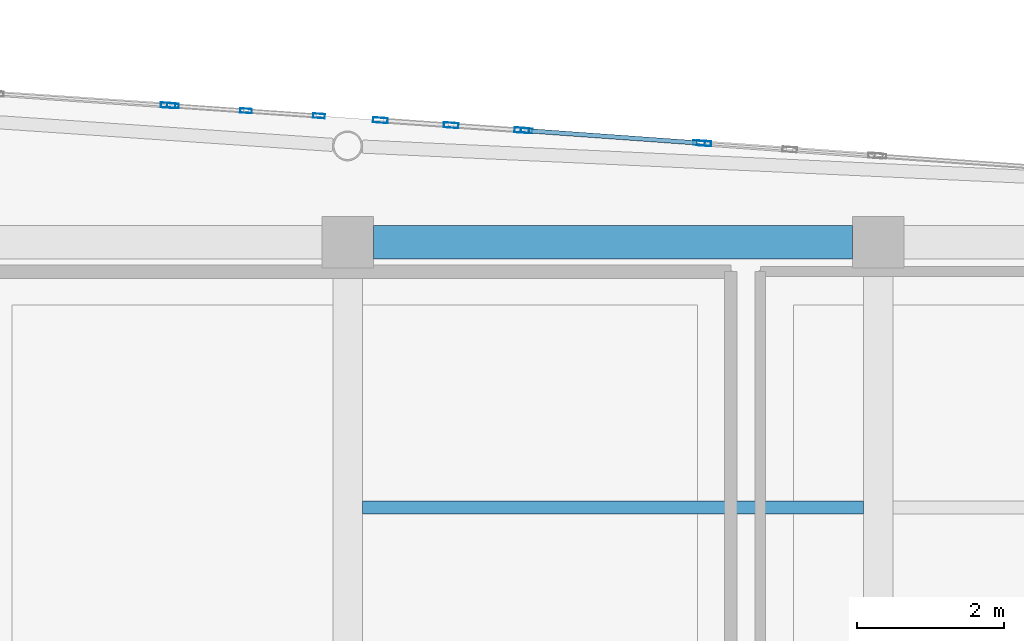
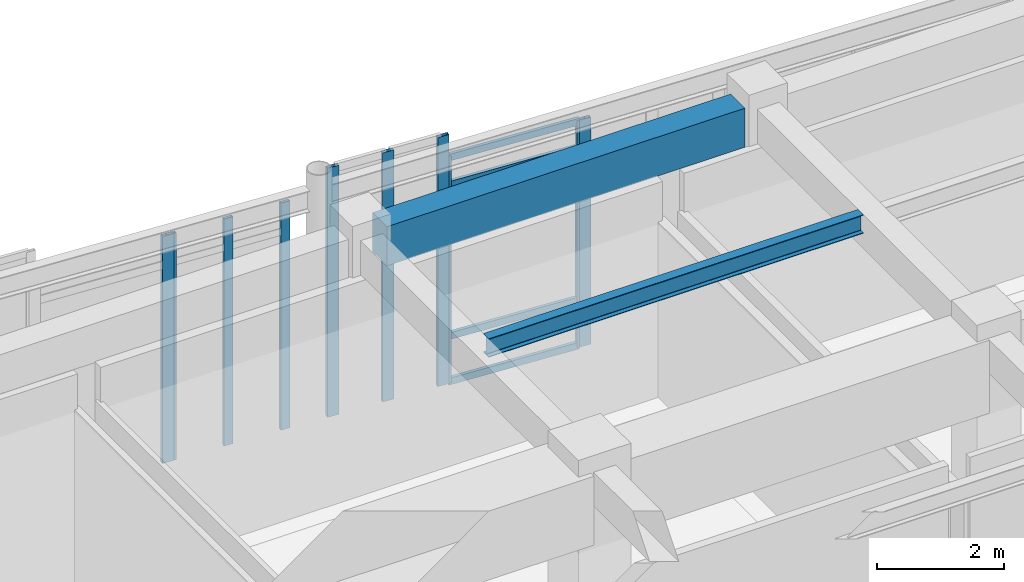
# One storey, part 57 of 117: 14 members, 2 beams, 5 elements without a shape of their own.
"""IFC4 building model written with IfcOpenShell, lengths in metres."""

from ifc_helpers import new_model, si_unit, direction, frame, origin, origin_2d, place, context, subcontext, project, spatial, rectangle, hollow_rectangle, i_section, extrude, material, layer, layer_set, material_profile, profile_set, type_object, element, aggregate, save


model = new_model("IFC4")

# Units and contexts
model_context = context("Model", 3, precision=1e-05, world=origin(), true_north=direction((0.0, 1.0)))
body_context = subcontext(model_context, "Body", "Model", "MODEL_VIEW")
ifc_project = project(units=[si_unit("LENGTHUNIT", "METRE"), si_unit("AREAUNIT", "SQUARE_METRE"), si_unit("VOLUMEUNIT", "CUBIC_METRE"), si_unit("PLANEANGLEUNIT", "RADIAN"), si_unit("MASSUNIT", "GRAM", prefix="KILO")], contexts=[model_context])

# Site, building, storey
site_placement = place(None, origin())
site = spatial("IfcSite", under=ifc_project, at=site_placement, CompositionType="ELEMENT")
building_placement = place(site_placement, origin())
building = spatial("IfcBuilding", under=site, at=building_placement, Name="Carrowvane Square Congress Hotel", CompositionType="ELEMENT")
storey_placement = place(building_placement, frame((0.0, 0.0, 5.39990234375)))
storey = spatial("IfcBuildingStorey", under=building, at=storey_placement, Name="L01", CompositionType="ELEMENT", Elevation=5.39990234375)

# Beams
ifc_material_1 = material(Name="Concrete C35/45", Category="concrete")
ifc_material_profile_1 = material_profile(ifc_material_1, rectangle(XDim=0.449951171875, YDim=0.75, at=origin_2d()), Name="RC 450x750")
ifc_profile_set_1 = profile_set([ifc_material_profile_1], Name="Concrete C35/45")
beam_type_1 = type_object("IfcBeamType", Name="BM-RC-450x750", PredefinedType="USERDEFINED", material=ifc_profile_set_1)
beam_1_placement = place(storey_placement, frame((134.35009765625, 113.39990234375, 4.405029296875), z_axis=(1.0, 0.0, 0.0), x_axis=(0.0, 1.0, 0.0)))
element("IfcBeam", 1, at=beam_1_placement, inside=storey, type_object=beam_type_1, Name="L02 girder R/18-19", ObjectType="GIRDER", PredefinedType="USERDEFINED", context=body_context, shape_type="SweptSolid", body=[
    extrude(rectangle(XDim=0.449951171875, YDim=0.75, at=origin_2d()), origin(), (0.0, 0.0, 1.0), 6.5),
])
ifc_material_2 = material(Name="Steel S355", Category="steel")
ifc_material_profile_2 = material_profile(ifc_material_2, i_section(OverallWidth=0.172119140625, OverallDepth=0.35791015625, WebThickness=0.008056640625, FlangeThickness=0.012939453125, FilletRadius=0.01025390625, at=origin_2d()), Name="UKB 356x171x57")
ifc_profile_set_2 = profile_set([ifc_material_profile_2], Name="Steel S355")
beam_type_2 = type_object("IfcBeamType", Name="BM-ST-UKB356", PredefinedType="JOIST", material=ifc_profile_set_2)
beam_2_placement = place(storey_placement, frame((134.199951171875, 109.800048828125, 4.60107421875), z_axis=(1.0, 0.0, 0.0), x_axis=(0.0, 1.0, 0.0)))
element("IfcBeam", 2, at=beam_2_placement, inside=storey, type_object=beam_type_2, Name="L02 secondary joist 18-19", PredefinedType="JOIST", context=body_context, shape_type="SweptSolid", body=[
    extrude(i_section(OverallWidth=0.172119140625, OverallDepth=0.35791015625, WebThickness=0.008056640625, FlangeThickness=0.012939453125, FilletRadius=0.01025390625, at=origin_2d()), origin(), (0.0, 0.0, 1.0), 6.800048828125),
])

# Curtain wall, members
ifc_material_3 = material(Name="Anodised aluminium", Category="aluminium")
ifc_layer_1 = layer(ifc_material_3, 0.23388671875)
ifc_layer_set_1 = layer_set([ifc_layer_1], Name="Anodised aluminium")
curtain_wall_type_1 = type_object("IfcCurtainWallType", Name="CW-SYS-7", PredefinedType="NOTDEFINED", material=ifc_layer_set_1)
curtain_wall_1_placement = place(storey_placement, origin())
curtain_wall_1 = element("IfcCurtainWall", 3, at=curtain_wall_1_placement, inside=storey, type_object=curtain_wall_type_1, Name="L01 unitised curtain wall 102", PredefinedType="NOTDEFINED")
ifc_material_4 = material(Name="Anodised aluminium", Category="aluminium")
ifc_material_profile_3 = material_profile(ifc_material_4, hollow_rectangle(XDim=0.06005859375, YDim=0.159912109375, WallThickness=0.00390625, at=origin_2d()), Name="CW-ML 60x160x4")
ifc_profile_set_3 = profile_set([ifc_material_profile_3], Name="Anodised aluminium")
member_type_1 = type_object("IfcMemberType", Name="CW-MUL-1", PredefinedType="MULLION", material=ifc_profile_set_3)
member_1_placement = place(storey_placement, frame((131.6298828125, 115.251708984375, 0.0), z_axis=(0.0, 0.0, 1.0), x_axis=(0.069726879118, 0.997566119277, 0.0)))
member_1 = element("IfcMember", 4, at=member_1_placement, type_object=member_type_1, Name="CW-7 mullion 1", PredefinedType="MULLION", context=body_context, shape_type="SweptSolid", body=[
    extrude(hollow_rectangle(XDim=0.06005859375, YDim=0.159912109375, WallThickness=0.00390625, at=origin_2d()), origin(), (0.0, 0.0, 1.0), 4.355712890625),
])
member_2_placement = place(storey_placement, frame((132.621337890625, 115.182373046875, 0.0), z_axis=(0.0, 0.0, 1.0), x_axis=(0.069726879118, 0.997566119277, 0.0)))
member_2 = element("IfcMember", 5, at=member_2_placement, type_object=member_type_1, Name="CW-7 mullion 2", PredefinedType="MULLION", context=body_context, shape_type="SweptSolid", body=[
    extrude(hollow_rectangle(XDim=0.06005859375, YDim=0.159912109375, WallThickness=0.00390625, at=origin_2d()), origin(), (0.0, 0.0, 1.0), 4.355712890625),
])
member_3_placement = place(storey_placement, frame((133.61279296875, 115.113037109375, 0.0), z_axis=(0.0, 0.0, 1.0), x_axis=(0.069726879118, 0.997566119277, 0.0)))
member_3 = element("IfcMember", 6, at=member_3_placement, type_object=member_type_1, Name="CW-7 mullion 3", PredefinedType="MULLION", context=body_context, shape_type="SweptSolid", body=[
    extrude(hollow_rectangle(XDim=0.06005859375, YDim=0.159912109375, WallThickness=0.00390625, at=origin_2d()), origin(), (0.0, 0.0, 1.0), 4.355712890625),
])
aggregate(curtain_wall_1, [member_1, member_2, member_3])

ifc_material_5 = material(Name="Anodised aluminium", Category="aluminium")
ifc_layer_2 = layer(ifc_material_5, 0.162109375)
ifc_layer_set_2 = layer_set([ifc_layer_2], Name="Anodised aluminium")
curtain_wall_type_2 = type_object("IfcCurtainWallType", Name="CW-SYS-1", PredefinedType="NOTDEFINED", material=ifc_layer_set_2)
curtain_wall_2_placement = place(storey_placement, origin())
curtain_wall_2 = element("IfcCurtainWall", 7, at=curtain_wall_2_placement, inside=storey, type_object=curtain_wall_type_2, Name="L01 unitised curtain wall 104", PredefinedType="NOTDEFINED")
member_4_placement = place(storey_placement, frame((136.429931640625, 114.9130859375, 0.0), z_axis=(0.0, 0.0, 1.0), x_axis=(0.071531759512, 0.997438322595, 0.0)))
member_4 = element("IfcMember", 8, at=member_4_placement, type_object=member_type_1, Name="CW-1 mullion 1", PredefinedType="MULLION", context=body_context, shape_type="SweptSolid", body=[
    extrude(hollow_rectangle(XDim=0.06005859375, YDim=0.159912109375, WallThickness=0.00390625, at=origin_2d()), origin(), (0.0, 0.0, 1.0), 4.355712890625),
])
member_5_placement = place(storey_placement, frame((138.77001953125, 114.745361328125, 0.0), z_axis=(0.0, 0.0, 1.0), x_axis=(0.071531759512, 0.997438322595, 0.0)))
member_5 = element("IfcMember", 9, at=member_5_placement, type_object=member_type_1, Name="CW-1 mullion 2", PredefinedType="MULLION", context=body_context, shape_type="SweptSolid", body=[
    extrude(hollow_rectangle(XDim=0.06005859375, YDim=0.159912109375, WallThickness=0.00390625, at=origin_2d()), origin(), (0.0, 0.0, 1.0), 4.355712890625),
])

# Curtain wall, member
ifc_material_6 = material(Name="Anodised aluminium", Category="aluminium")
ifc_layer_3 = layer(ifc_material_6, 0.221923828125)
ifc_layer_set_3 = layer_set([ifc_layer_3], Name="Anodised aluminium")
curtain_wall_type_3 = type_object("IfcCurtainWallType", Name="CW-SYS-6", PredefinedType="NOTDEFINED", material=ifc_layer_set_3)
curtain_wall_3_placement = place(storey_placement, origin())
curtain_wall_3 = element("IfcCurtainWall", 10, at=curtain_wall_3_placement, inside=storey, type_object=curtain_wall_type_3, Name="L01 unitised curtain wall 101", PredefinedType="NOTDEFINED")
ifc_material_7 = material(Name="Anodised aluminium", Category="aluminium")
ifc_material_profile_4 = material_profile(ifc_material_7, hollow_rectangle(XDim=0.070068359375, YDim=0.199951171875, WallThickness=0.0048828125, at=origin_2d()), Name="CW-ML 70x200x5")
ifc_profile_set_4 = profile_set([ifc_material_profile_4], Name="Anodised aluminium")
member_type_2 = type_object("IfcMemberType", Name="CW-MUL-2", PredefinedType="MULLION", material=ifc_profile_set_4)
member_6_placement = place(storey_placement, frame((131.56494140625, 115.256103515625, 0.0), z_axis=(0.0, 0.0, 1.0), x_axis=(0.067869562107, 0.99769420292, 0.0)))
member_6 = element("IfcMember", 11, at=member_6_placement, type_object=member_type_2, Name="CW-6 mullion 2", PredefinedType="MULLION", context=body_context, shape_type="SweptSolid", body=[
    extrude(hollow_rectangle(XDim=0.070068359375, YDim=0.199951171875, WallThickness=0.0048828125, at=origin_2d()), origin(), (0.0, 0.0, 1.0), 4.355712890625),
])
aggregate(curtain_wall_3, [member_6])

# Curtain wall, members
ifc_material_8 = material(Name="Anodised aluminium", Category="aluminium")
ifc_layer_4 = layer(ifc_material_8, 0.24609375)
ifc_layer_set_4 = layer_set([ifc_layer_4], Name="Anodised aluminium")
curtain_wall_type_4 = type_object("IfcCurtainWallType", Name="CW-SYS-8", PredefinedType="NOTDEFINED", material=ifc_layer_set_4)
curtain_wall_4_placement = place(storey_placement, origin())
curtain_wall_4 = element("IfcCurtainWall", 12, at=curtain_wall_4_placement, inside=storey, type_object=curtain_wall_type_4, Name="L01 unitised curtain wall 103", PredefinedType="NOTDEFINED")
member_7_placement = place(storey_placement, frame((134.445556640625, 115.05419921875, 0.0), z_axis=(0.0, 0.0, 1.0), x_axis=(0.070959862453, 0.997479171673, 0.0)))
member_7 = element("IfcMember", 13, at=member_7_placement, type_object=member_type_2, Name="CW-8 mullion 1", PredefinedType="MULLION", context=body_context, shape_type="SweptSolid", body=[
    extrude(hollow_rectangle(XDim=0.070068359375, YDim=0.199951171875, WallThickness=0.0048828125, at=origin_2d()), origin(), (0.0, 0.0, 1.0), 4.780029296875),
])
member_8_placement = place(storey_placement, frame((135.4052734375, 114.986083984375, 0.0), z_axis=(0.0, 0.0, 1.0), x_axis=(0.070959862453, 0.997479171673, 0.0)))
member_8 = element("IfcMember", 14, at=member_8_placement, type_object=member_type_2, Name="CW-8 mullion 2", PredefinedType="MULLION", context=body_context, shape_type="SweptSolid", body=[
    extrude(hollow_rectangle(XDim=0.070068359375, YDim=0.199951171875, WallThickness=0.0048828125, at=origin_2d()), origin(), (0.0, 0.0, 1.0), 4.780029296875),
])
member_9_placement = place(storey_placement, frame((136.365234375, 114.917724609375, 0.0), z_axis=(0.0, 0.0, 1.0), x_axis=(0.070959862453, 0.997479171673, 0.0)))
member_9 = element("IfcMember", 15, at=member_9_placement, type_object=member_type_2, Name="CW-8 mullion 3", PredefinedType="MULLION", context=body_context, shape_type="SweptSolid", body=[
    extrude(hollow_rectangle(XDim=0.070068359375, YDim=0.199951171875, WallThickness=0.0048828125, at=origin_2d()), origin(), (0.0, 0.0, 1.0), 4.780029296875),
])
aggregate(curtain_wall_4, [member_7, member_8, member_9])

# Curtain wall, member
ifc_material_9 = material(Name="Anodised aluminium", Category="aluminium")
ifc_layer_5 = layer(ifc_material_9, 0.174072265625)
ifc_layer_set_5 = layer_set([ifc_layer_5], Name="Anodised aluminium")
curtain_wall_type_5 = type_object("IfcCurtainWallType", Name="CW-SYS-2", PredefinedType="NOTDEFINED", material=ifc_layer_set_5)
curtain_wall_5_placement = place(storey_placement, origin())
curtain_wall_5 = element("IfcCurtainWall", 16, at=curtain_wall_5_placement, inside=storey, type_object=curtain_wall_type_5, Name="L01 unitised curtain wall 105", PredefinedType="NOTDEFINED")
member_10_placement = place(storey_placement, frame((138.8349609375, 114.74072265625, 0.0), z_axis=(0.0, 0.0, 1.0), x_axis=(0.071422490945, 0.997446152826, 0.0)))
member_10 = element("IfcMember", 17, at=member_10_placement, type_object=member_type_2, Name="CW-2 mullion 1", PredefinedType="MULLION", context=body_context, shape_type="SweptSolid", body=[
    extrude(hollow_rectangle(XDim=0.070068359375, YDim=0.199951171875, WallThickness=0.0048828125, at=origin_2d()), origin(), (0.0, 0.0, 1.0), 4.355712890625),
])
aggregate(curtain_wall_5, [member_10])

# Member
ifc_material_10 = material(Name="Anodised aluminium", Category="aluminium")
ifc_material_profile_5 = material_profile(ifc_material_10, hollow_rectangle(XDim=0.06005859375, YDim=0.1298828125, WallThickness=0.00390625, at=origin_2d()), Name="CW-TR 60x130x4")
ifc_profile_set_5 = profile_set([ifc_material_profile_5], Name="Anodised aluminium")
member_type_3 = type_object("IfcMemberType", Name="CW-TRN-1", PredefinedType="USERDEFINED", material=ifc_profile_set_5)
member_11_placement = place(storey_placement, frame((136.4599609375, 114.910888671875, 0.030029296875), z_axis=(0.997436969988, -0.071550617761, 0.0), x_axis=(0.071550617761, 0.997436969988, 0.0)))
member_11 = element("IfcMember", 18, at=member_11_placement, type_object=member_type_3, Name="CW-1 transom 1.1", ObjectType="TRANSOM", PredefinedType="USERDEFINED", context=body_context, shape_type="SweptSolid", body=[
    extrude(hollow_rectangle(XDim=0.06005859375, YDim=0.1298828125, WallThickness=0.00390625, at=origin_2d()), origin(), (0.0, 0.0, 1.0), 2.2861328125),
])

member_12_placement = place(storey_placement, frame((136.4599609375, 114.910888671875, 0.900146484375), z_axis=(0.997436969988, -0.071550617761, 0.0), x_axis=(0.071550617761, 0.997436969988, 0.0)))
member_12 = element("IfcMember", 19, at=member_12_placement, type_object=member_type_3, Name="CW-1 transom 1.2", ObjectType="TRANSOM", PredefinedType="USERDEFINED", context=body_context, shape_type="SweptSolid", body=[
    extrude(hollow_rectangle(XDim=0.06005859375, YDim=0.1298828125, WallThickness=0.00390625, at=origin_2d()), origin(), (0.0, 0.0, 1.0), 2.2861328125),
])

member_13_placement = place(storey_placement, frame((136.4599609375, 114.910888671875, 3.8056640625), z_axis=(0.997436969988, -0.071550617761, 0.0), x_axis=(0.071550617761, 0.997436969988, 0.0)))
member_13 = element("IfcMember", 20, at=member_13_placement, type_object=member_type_3, Name="CW-1 transom 1.3", ObjectType="TRANSOM", PredefinedType="USERDEFINED", context=body_context, shape_type="SweptSolid", body=[
    extrude(hollow_rectangle(XDim=0.06005859375, YDim=0.1298828125, WallThickness=0.00390625, at=origin_2d()), origin(), (0.0, 0.0, 1.0), 2.2861328125),
])

member_14_placement = place(storey_placement, frame((136.4599609375, 114.910888671875, 4.32568359375), z_axis=(0.997436969988, -0.071550617761, 0.0), x_axis=(0.071550617761, 0.997436969988, 0.0)))
member_14 = element("IfcMember", 21, at=member_14_placement, type_object=member_type_3, Name="CW-1 transom 1.4", ObjectType="TRANSOM", PredefinedType="USERDEFINED", context=body_context, shape_type="SweptSolid", body=[
    extrude(hollow_rectangle(XDim=0.06005859375, YDim=0.1298828125, WallThickness=0.00390625, at=origin_2d()), origin(), (0.0, 0.0, 1.0), 2.2861328125),
])

aggregate(curtain_wall_2, [member_4, member_5, member_11, member_12, member_13, member_14])

save(model, "model.ifc")
